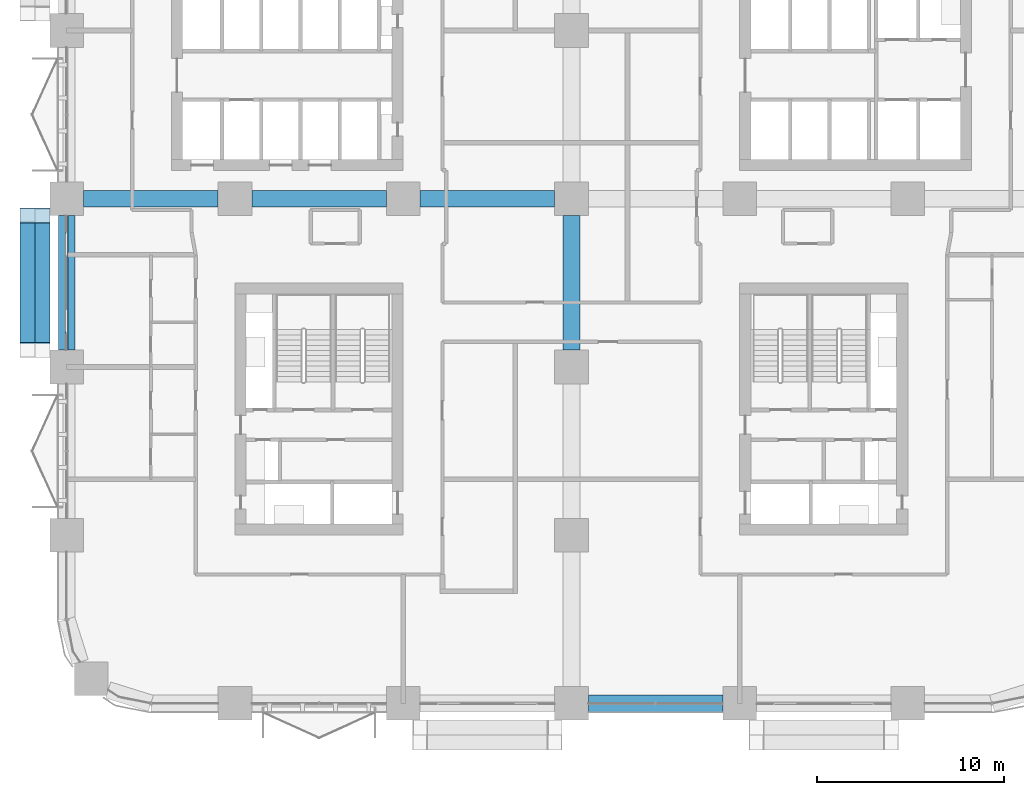
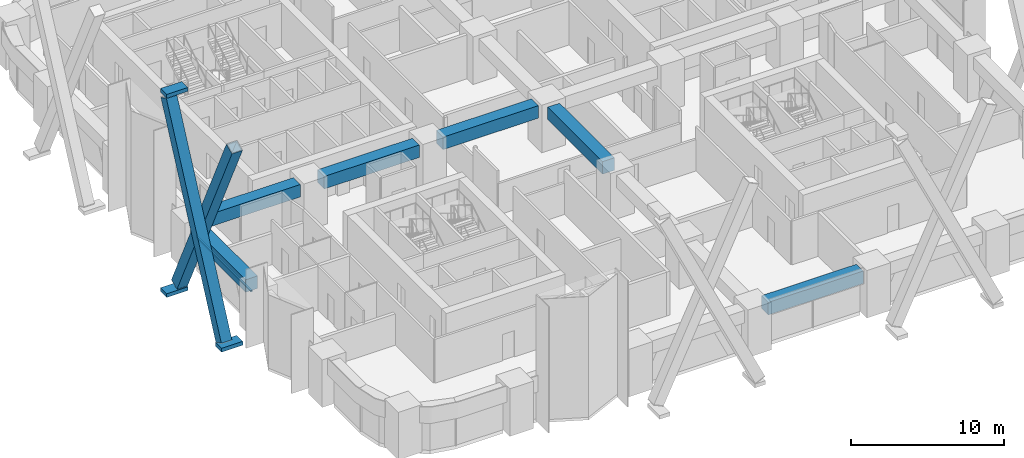
# One storey, part 3 of 23: 6 beams, 6 members, 1 element without a shape of its own.
"""IFC4 building model written with IfcOpenShell, lengths in metres."""

from ifc_helpers import new_model, si_unit, direction, frame, origin, origin_2d, place, context, subcontext, project, spatial, rectangle, hollow_rectangle, extrude, material, layer, layer_set, material_profile, profile_set, type_object, element, aggregate, save


model = new_model("IFC4")

# Units and contexts
model_context = context("Model", 3, precision=1e-05, world=origin(), true_north=direction((0.0, 1.0)))
body_context = subcontext(model_context, "Body", "Model", "MODEL_VIEW")
ifc_project = project(units=[si_unit("LENGTHUNIT", "METRE"), si_unit("AREAUNIT", "SQUARE_METRE"), si_unit("VOLUMEUNIT", "CUBIC_METRE"), si_unit("PLANEANGLEUNIT", "RADIAN"), si_unit("MASSUNIT", "GRAM", prefix="KILO")], contexts=[model_context])

# Site, building, storey
site_placement = place(None, origin())
site = spatial("IfcSite", under=ifc_project, at=site_placement, CompositionType="ELEMENT")
building_placement = place(site_placement, origin())
building = spatial("IfcBuilding", under=site, at=building_placement, Name="Tessera Arch", CompositionType="ELEMENT")
storey_placement = place(building_placement, frame((0.0, 0.0, 46.199951171875)))
storey = spatial("IfcBuildingStorey", under=building, at=storey_placement, Name="L09", CompositionType="ELEMENT", Elevation=46.199951171875)

# Members
ifc_material_1 = material(Name="Steel A572 Gr50", Category="steel")
ifc_material_profile_1 = material_profile(ifc_material_1, hollow_rectangle(XDim=0.800048828125, YDim=0.800048828125, WallThickness=0.06005859375, at=origin_2d()), Name="BOX 800x800x60")
ifc_profile_set_1 = profile_set([ifc_material_profile_1], Name="Steel A572 Gr50")
member_type_1 = type_object("IfcMemberType", Name="Brace BOX 800x800x60 Steel A572 Gr50", PredefinedType="BRACE", material=ifc_profile_set_1)
for number, where, z_axis, x_axis, name in (
    (1, (-1.300048828125, 26.10009765625, -0.800048828125), (0.0, -0.428091336491, 0.903735474363), (1.0, 0.0, 0.0), "Brace W0.0-3 A L09-L12"),
    (2, (-2.10009765625, 18.89990234375, -0.800048828125), (0.0, 0.428091336491, 0.903735474363), (-1.0, 0.0, 0.0), "Brace W0.0-3 B L09-L12"),
):
    element("IfcMember", number, at=place(storey_placement, frame(where, z_axis=z_axis, x_axis=x_axis)), inside=storey, type_object=member_type_1, Name=name, PredefinedType="BRACE", context=body_context, shape_type="SweptSolid", body=[
        extrude(hollow_rectangle(XDim=0.800048828125, YDim=0.800048828125, WallThickness=0.06005859375, at=origin_2d()), origin(), (0.0, 0.0, 1.0), 16.8193359375),
    ])

# Curtain wall, member
ifc_material_2 = material(Name="CW3 curtain wall")
curtain_wall_type = type_object("IfcCurtainWallType", Name="CW3 curtain wall", PredefinedType="NOTDEFINED", material=ifc_material_2)
curtain_wall_placement = place(storey_placement, origin())
curtain_wall = element("IfcCurtainWall", 3, at=curtain_wall_placement, inside=storey, type_object=curtain_wall_type, Name="CW3 curtain wall W0.0/3 L09", PredefinedType="NOTDEFINED")
ifc_material_3 = material(Name="Anodised aluminium pale metal", Category="aluminium")
ifc_material_profile_2 = material_profile(ifc_material_3, rectangle(XDim=0.139892578125, YDim=0.10009765625, at=origin_2d()), Name="AL 140x100")
ifc_profile_set_2 = profile_set([ifc_material_profile_2], Name="Anodised aluminium pale metal")
member_type_2 = type_object("IfcMemberType", Name="CW3 transom", PredefinedType="USERDEFINED", material=ifc_profile_set_2)
member_placement = place(storey_placement, frame((0.0, 26.10009765625, 2.449951171875), z_axis=(0.0, -1.0, 0.0), x_axis=(1.0, 0.0, 0.0)))
member = element("IfcMember", 4, at=member_placement, type_object=member_type_2, Name="CW3 transom W0.0/3 1.1", ObjectType="TRANSOM", PredefinedType="USERDEFINED", context=body_context, shape_type="SweptSolid", body=[
    extrude(rectangle(XDim=0.139892578125, YDim=0.10009765625, at=origin_2d()), origin(), (0.0, 0.0, 1.0), 7.2001953125),
])
aggregate(curtain_wall, [member])

# Members
ifc_material_4 = material(Name="Steel A572 Gr50", Category="steel")
ifc_layer = layer(ifc_material_4, 0.050048828125)
ifc_layer_set = layer_set([ifc_layer], Name="Node block Steel A572 Gr50")
member_type_3 = type_object("IfcMemberType", Name="Node block Steel A572 Gr50", PredefinedType="PLATE", material=ifc_layer_set)
for number, where, z_axis, x_axis, name in (
    (5, (-1.699951171875, 18.89990234375, -1.31640625), (0.0, 0.0, 1.0), (0.0, -1.0, 0.0), "Node block seat W0.0-3 1 L09"),
    (6, (-1.699951171875, 26.10009765625, -1.31640625), (0.0, 0.0, 1.0), (0.0, -1.0, 0.0), "Node block seat W0.0-3 2 L09"),
    (7, (-1.699951171875, 26.10009765625, 14.6162109375), (0.0, 0.0, 1.0), (0.0, -1.0, 0.0), "Node block head W0.0-3 B L09"),
):
    element("IfcMember", number, at=place(storey_placement, frame(where, z_axis=z_axis, x_axis=x_axis)), inside=storey, type_object=member_type_3, Name=name, PredefinedType="PLATE", context=body_context, shape_type="SweptSolid", body=[
        extrude(rectangle(XDim=0.800048828125, YDim=1.60009765625, at=origin_2d()), origin(), (0.0, 0.0, 1.0), 0.300048828125),
    ])

# Beams
ifc_material_5 = material(Name="Concrete C80/95", Category="concrete")
ifc_material_profile_3 = material_profile(ifc_material_5, rectangle(XDim=0.89990234375, YDim=1.0, at=origin_2d()), Name="RC spandrel beam 900 x 1000 Concrete C80/95")
ifc_profile_set_3 = profile_set([ifc_material_profile_3], Name="Concrete C80/95")
beam_type = type_object("IfcBeamType", Name="RC spandrel beam 900 x 1000 Concrete C80/95", PredefinedType="BEAM", material=ifc_profile_set_3)
for number, where, z_axis, x_axis, name in (
    (8, (27.89990234375, 0.0, 3.0), (1.0, 0.0, 0.0), (0.0, 1.0, 0.0), "Spandrel beam L09 S0.0/2"),
    (9, (0.0, 26.10009765625, 3.0), (0.0, -1.0, 0.0), (1.0, 0.0, 0.0), "Spandrel beam L09 W0.0/3"),
    (10, (27.0, 18.89990234375, 3.0), (0.0, 1.0, 0.0), (-1.0, 0.0, 0.0), "Interface beam L09 I0C4C-C4D"),
    (11, (0.89990234375, 27.0, 3.0), (1.0, 0.0, 0.0), (0.0, 1.0, 0.0), "Interface beam L09 I1C1D-C2D"),
    (12, (9.89990234375, 27.0, 3.0), (1.0, 0.0, 0.0), (0.0, 1.0, 0.0), "Interface beam L09 I1C2D-C3D"),
    (13, (18.89990234375, 27.0, 3.0), (1.0, 0.0, 0.0), (0.0, 1.0, 0.0), "Interface beam L09 I1C3D-C4D"),
):
    element("IfcBeam", number, at=place(storey_placement, frame(where, z_axis=z_axis, x_axis=x_axis)), inside=storey, type_object=beam_type, Name=name, PredefinedType="BEAM", context=body_context, shape_type="SweptSolid", body=[
        extrude(rectangle(XDim=0.89990234375, YDim=1.0, at=origin_2d()), origin(), (0.0, 0.0, 1.0), 7.2001953125),
    ])

save(model, "model.ifc")
